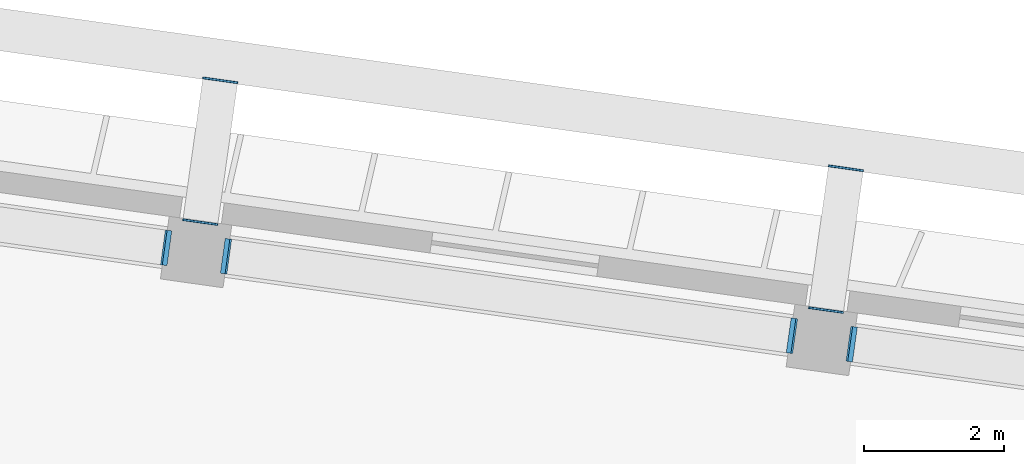
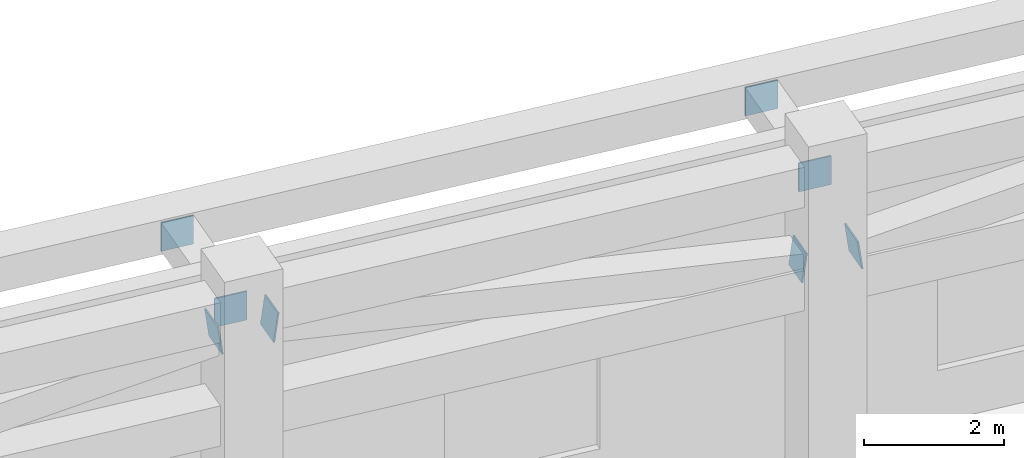
# One storey, part 32 of 41: 8 discrete accessories.
"""IFC4 building model written with IfcOpenShell, lengths in metres."""

from ifc_helpers import new_model, si_unit, direction, frame, origin, origin_2d, place, context, subcontext, project, spatial, rectangle, extrude, material, material_profile, profile_set, type_object, element, save


model = new_model("IFC4")

# Units and contexts
model_context = context("Model", 3, precision=1e-05, world=origin(), true_north=direction((0.0, 1.0)))
body_context = subcontext(model_context, "Body", "Model", "MODEL_VIEW")
ifc_project = project(units=[si_unit("LENGTHUNIT", "METRE"), si_unit("AREAUNIT", "SQUARE_METRE"), si_unit("VOLUMEUNIT", "CUBIC_METRE"), si_unit("PLANEANGLEUNIT", "RADIAN"), si_unit("MASSUNIT", "GRAM", prefix="KILO")], contexts=[model_context])

# Site, building, storey
site_placement = place(None, origin())
site = spatial("IfcSite", under=ifc_project, at=site_placement, CompositionType="ELEMENT")
building_placement = place(site_placement, origin())
building = spatial("IfcBuilding", under=site, at=building_placement, Name="Mirante Cascada Hotel Towers", CompositionType="ELEMENT")
storey_placement = place(building_placement, frame((0.0, 0.0, 92.7)))
storey = spatial("IfcBuildingStorey", under=building, at=storey_placement, Name="L20", CompositionType="ELEMENT", Elevation=92.7)

# Discrete accessories
ifc_material = material(Name="Steel ASTM A572 Gr 50", Category="steel")
ifc_material_profile = material_profile(ifc_material, rectangle(XDim=0.5, YDim=0.5, at=origin_2d()), Name="Connection plate 500x500x25 ASTM A572 Gr 50")
ifc_profile_set = profile_set([ifc_material_profile], Name="Steel ASTM A572 Gr 50")
discrete_accessory_type = type_object("IfcDiscreteAccessoryType", Name="Connection plate 500x500x25 ASTM A572 Gr 50", PredefinedType="BRACKET", material=ifc_profile_set)
discrete_accessory_1_placement = place(storey_placement, frame((-44.8468, 18.5159, 3.7517), z_axis=(-0.9808896, 0.1395575, -0.1355701), x_axis=(-0.1408579, -0.9900298, 0.0)))
element("IfcDiscreteAccessory", 1, at=discrete_accessory_1_placement, inside=storey, type_object=discrete_accessory_type, Name="Connection plate BT20D", PredefinedType="BRACKET", context=body_context, shape_type="SweptSolid", body=[
    extrude(rectangle(XDim=0.5, YDim=0.5, at=origin_2d()), origin(), (0.0, 0.0, 1.0), 0.0251),
])
discrete_accessory_2_placement = place(storey_placement, frame((-45.6985, 18.6356, 3.7483), z_axis=(-0.9807378, 0.1401054, 0.1361024), x_axis=(-0.1414214, -0.9899495, 0.0)))
element("IfcDiscreteAccessory", 2, at=discrete_accessory_2_placement, inside=storey, type_object=discrete_accessory_type, Name="Connection plate BT20D", PredefinedType="BRACKET", context=body_context, shape_type="SweptSolid", body=[
    extrude(rectangle(XDim=0.5, YDim=0.5, at=origin_2d()), origin(), (0.0, 0.0, 1.0), 0.025),
])
discrete_accessory_3_placement = place(storey_placement, frame((-53.7592, 19.7685, 4.8483), z_axis=(-0.9814281, 0.1356445, 0.1356445), x_axis=(-0.1369099, -0.9905835, 0.0)))
element("IfcDiscreteAccessory", 3, at=discrete_accessory_3_placement, inside=storey, type_object=discrete_accessory_type, Name="Connection plate BT20D", PredefinedType="BRACKET", context=body_context, shape_type="SweptSolid", body=[
    extrude(rectangle(XDim=0.5, YDim=0.5, at=origin_2d()), origin(), (0.0, 0.0, 1.0), 0.0251),
])
for number, where, z_axis, x_axis, name in (
    (4, (-54.6109, 19.8882, 4.8517), (-0.9812804, 0.1361777, -0.1361777), (-0.1374582, -0.9905076, 0.0), "Connection plate BT20D"),
    (5, (-45.2268, 18.9909, 4.85), (0.1397442, 0.9901876, 0.0), (-0.9901876, 0.1397442, 0.0), "Connection plate TIE"),
):
    element("IfcDiscreteAccessory", number, at=place(storey_placement, frame(where, z_axis=z_axis, x_axis=x_axis)), inside=storey, type_object=discrete_accessory_type, Name=name, PredefinedType="BRACKET", context=body_context, shape_type="SweptSolid", body=[
        extrude(rectangle(XDim=0.5, YDim=0.5, at=origin_2d()), origin(), (0.0, 0.0, 1.0), 0.025),
    ])
discrete_accessory_4_placement = place(storey_placement, frame((-44.9429, 21.0111, 4.85), z_axis=(0.1402989, 0.9901092, 0.0), x_axis=(-0.9901092, 0.1402989, 0.0)))
element("IfcDiscreteAccessory", 6, at=discrete_accessory_4_placement, inside=storey, type_object=discrete_accessory_type, Name="Connection plate TIE", PredefinedType="BRACKET", context=body_context, shape_type="SweptSolid", body=[
    extrude(rectangle(XDim=0.5, YDim=0.5, at=origin_2d()), origin(), (0.0, 0.0, 1.0), 0.0249),
])
for number, where, z_axis, x_axis, name in (
    (7, (-54.1392, 20.2435, 4.85), (0.1397442, 0.9901876, 0.0), (-0.9901876, 0.1397442, 0.0), "Connection plate TIE"),
    (8, (-53.8553, 22.2636, 4.85), (0.1397442, 0.9901876, 0.0), (-0.9901876, 0.1397442, 0.0), "Connection plate TIE"),
):
    element("IfcDiscreteAccessory", number, at=place(storey_placement, frame(where, z_axis=z_axis, x_axis=x_axis)), inside=storey, type_object=discrete_accessory_type, Name=name, PredefinedType="BRACKET", context=body_context, shape_type="SweptSolid", body=[
        extrude(rectangle(XDim=0.5, YDim=0.5, at=origin_2d()), origin(), (0.0, 0.0, 1.0), 0.025),
    ])

save(model, "model.ifc")
